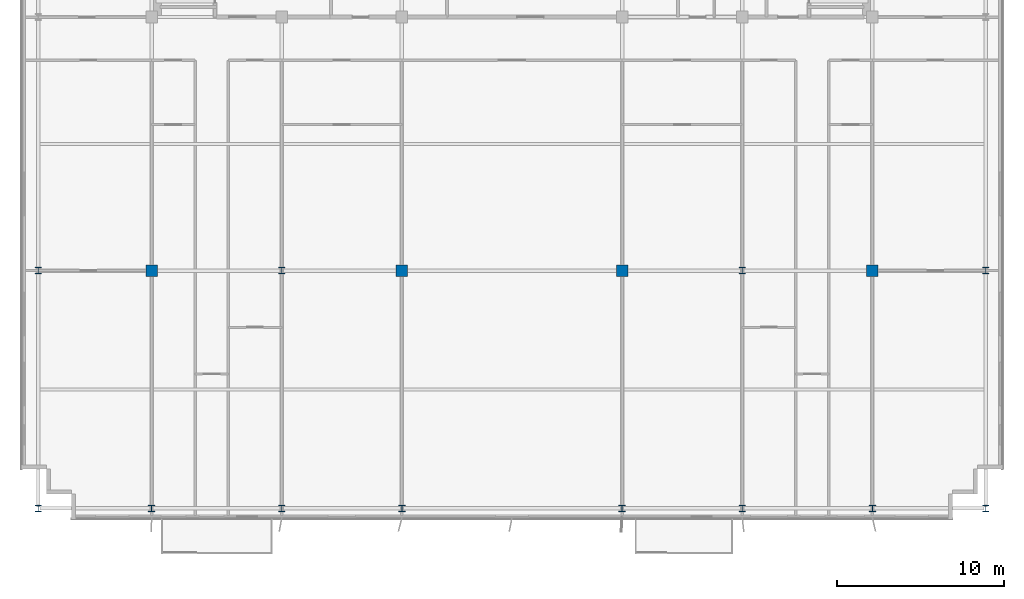
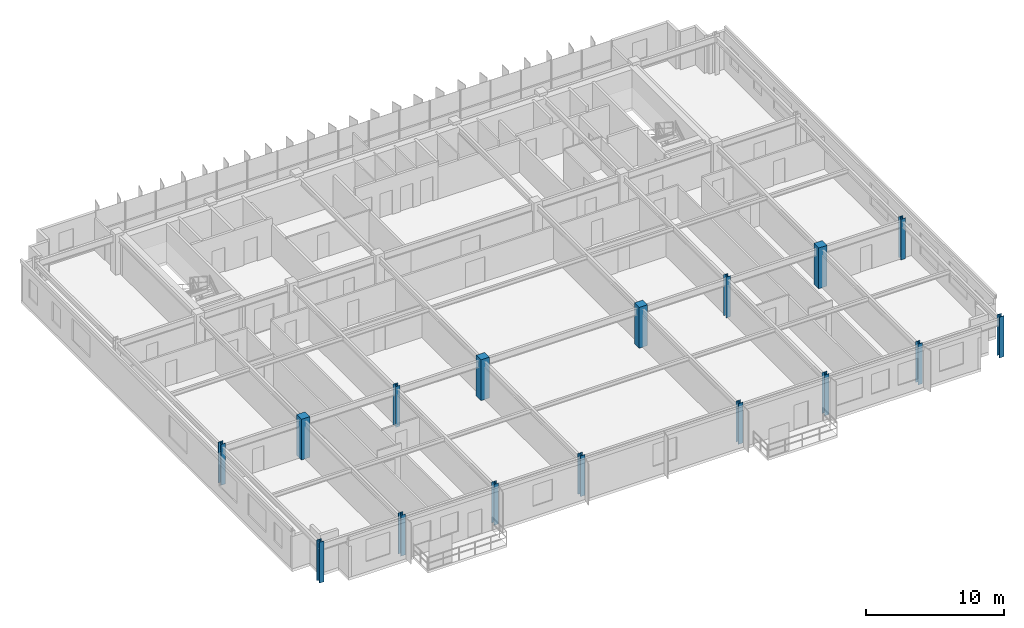
# One storey, part 1 of 20: 16 columns.
"""IFC4 building model written with IfcOpenShell, lengths in metres."""

from ifc_helpers import new_model, si_unit, direction, frame, origin, origin_2d, place, context, subcontext, project, spatial, rectangle, i_section, extrude, source, transform, mapped, material, material_profile, profile_set, type_object, element, save


model = new_model("IFC4")

# Units and contexts
model_context = context("Model", 3, precision=1e-05, world=origin(), true_north=direction((0.0, 1.0)))
body_context = subcontext(model_context, "Body", "Model", "MODEL_VIEW")
ifc_project = project(units=[si_unit("LENGTHUNIT", "METRE"), si_unit("AREAUNIT", "SQUARE_METRE"), si_unit("VOLUMEUNIT", "CUBIC_METRE"), si_unit("PLANEANGLEUNIT", "RADIAN"), si_unit("MASSUNIT", "GRAM", prefix="KILO")], contexts=[model_context])

# Site, building, storey
site_placement = place(None, origin())
site = spatial("IfcSite", under=ifc_project, at=site_placement, CompositionType="ELEMENT")
building_placement = place(site_placement, origin())
building = spatial("IfcBuilding", under=site, at=building_placement, Name="Trelvane Seafront Commons", CompositionType="ELEMENT")
storey_placement = place(building_placement, frame((0.0, 0.0, 146.5)))
storey = spatial("IfcBuildingStorey", under=building, at=storey_placement, Name="L38", CompositionType="ELEMENT", Elevation=146.5)

# Columns
ifc_material_1 = material(Name="Steel SM355 (S355)", Category="steel")
ifc_material_profile_1 = material_profile(ifc_material_1, i_section(OverallWidth=0.3798828125, OverallDepth=0.3798828125, WebThickness=0.02001953125, FlangeThickness=0.030029296875, at=origin_2d()), Name="HD-380x380x20x30")
ifc_profile_set_1 = profile_set([ifc_material_profile_1], Name="Steel SM355 (S355)")
column_type_1 = type_object("IfcColumnType", Name="STR-COL-HD380", PredefinedType="COLUMN", material=ifc_profile_set_1)
shared_shape_1 = source(origin(), body_context, "Body", "SweptSolid", [
    extrude(i_section(OverallWidth=0.3798828125, OverallDepth=0.3798828125, WebThickness=0.02001953125, FlangeThickness=0.030029296875, at=origin_2d()), origin(), (0.0, 0.0, 1.0), 3.60009765625),
])
for number, where, z_axis, x_axis, name in (
    (1, (8.800048828125, 3.949951171875, 0.0), (0.0, 0.0, 1.0), (1.0, 0.0, 0.0), "L38 Column TC-S8.8"),
    (2, (8.800048828125, 18.199951171875, 0.0), (0.0, 0.0, 1.0), (1.0, 0.0, 0.0), "L38 Column TC-M8.8"),
    (3, (15.60009765625, 3.949951171875, 0.0), (0.0, 0.0, 1.0), (1.0, 0.0, 0.0), "L38 Column TC-S15.6"),
    (4, (23.39990234375, 3.949951171875, 0.0), (0.0, 0.0, 1.0), (1.0, 0.0, 0.0), "L38 Column TC-S23.4"),
    (5, (23.39990234375, 18.199951171875, 0.0), (0.0, 0.0, 1.0), (1.0, 0.0, 0.0), "L38 Column TC-M23.4"),
    (6, (30.60009765625, 3.949951171875, 0.0), (0.0, 0.0, 1.0), (1.0, 0.0, 0.0), "L38 Column TC-S30.6"),
    (7, (43.800048828125, 3.949951171875, 0.0), (0.0, 0.0, 1.0), (1.0, 0.0, 0.0), "L38 Column TC-S43.8"),
    (8, (51.0, 3.949951171875, 0.0), (0.0, 0.0, 1.0), (1.0, 0.0, 0.0), "L38 Column TC-S51.0"),
    (9, (51.0, 18.199951171875, 0.0), (0.0, 0.0, 1.0), (1.0, 0.0, 0.0), "L38 Column TC-M51.0"),
    (10, (58.800048828125, 3.949951171875, 0.0), (0.0, 0.0, 1.0), (1.0, 0.0, 0.0), "L38 Column TC-S58.8"),
    (11, (65.60009765625, 3.949951171875, 0.0), (0.0, 0.0, 1.0), (1.0, 0.0, 0.0), "L38 Column TC-S65.6"),
    (12, (65.60009765625, 18.199951171875, 0.0), (0.0, 0.0, 1.0), (1.0, 0.0, 0.0), "L38 Column TC-M65.6"),
):
    element("IfcColumn", number, at=place(storey_placement, frame(where, z_axis=z_axis, x_axis=x_axis)), inside=storey, type_object=column_type_1, Name=name, PredefinedType="COLUMN", context=body_context, shape_type="MappedRepresentation", body=[
        mapped(shared_shape_1, transform((0.0, 0.0, 0.0), x_axis=(1.0, 0.0, 0.0), y_axis=(0.0, 1.0, 0.0), z_axis=(0.0, 0.0, 1.0), scale=1.0)),
    ])
ifc_material_2 = material(Name="Concrete C50/60", Category="concrete")
ifc_material_profile_2 = material_profile(ifc_material_2, rectangle(XDim=0.699951171875, YDim=0.699951171875, at=origin_2d()), Name="RC-700x700")
ifc_profile_set_2 = profile_set([ifc_material_profile_2], Name="Concrete C50/60")
column_type_2 = type_object("IfcColumnType", Name="STR-COL-RC700", PredefinedType="COLUMN", material=ifc_profile_set_2)
shared_shape_2 = source(origin(), body_context, "Body", "SweptSolid", [
    extrude(rectangle(XDim=0.699951171875, YDim=0.699951171875, at=origin_2d()), origin(), (0.0, 0.0, 1.0), 3.60009765625),
])
for number, where, z_axis, x_axis, name in (
    (13, (15.60009765625, 18.199951171875, 0.0), (0.0, 0.0, 1.0), (1.0, 0.0, 0.0), "L38 Column TC-M15.6"),
    (14, (30.60009765625, 18.199951171875, 0.0), (0.0, 0.0, 1.0), (1.0, 0.0, 0.0), "L38 Column TC-M30.6"),
    (15, (43.800048828125, 18.199951171875, 0.0), (0.0, 0.0, 1.0), (1.0, 0.0, 0.0), "L38 Column TC-M43.8"),
    (16, (58.800048828125, 18.199951171875, 0.0), (0.0, 0.0, 1.0), (1.0, 0.0, 0.0), "L38 Column TC-M58.8"),
):
    element("IfcColumn", number, at=place(storey_placement, frame(where, z_axis=z_axis, x_axis=x_axis)), inside=storey, type_object=column_type_2, Name=name, PredefinedType="COLUMN", context=body_context, shape_type="MappedRepresentation", body=[
        mapped(shared_shape_2, transform((0.0, 0.0, 0.0), x_axis=(1.0, 0.0, 0.0), y_axis=(0.0, 1.0, 0.0), z_axis=(0.0, 0.0, 1.0), scale=1.0)),
    ])

save(model, "model.ifc")
